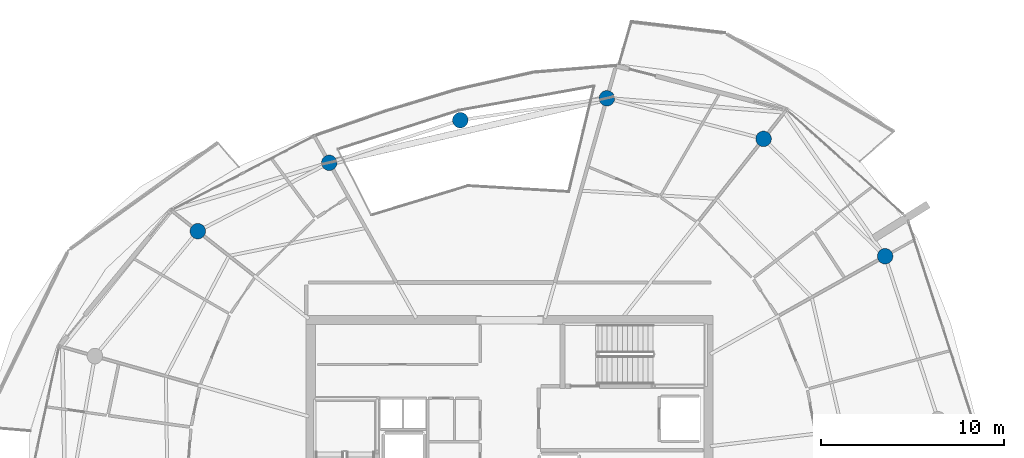
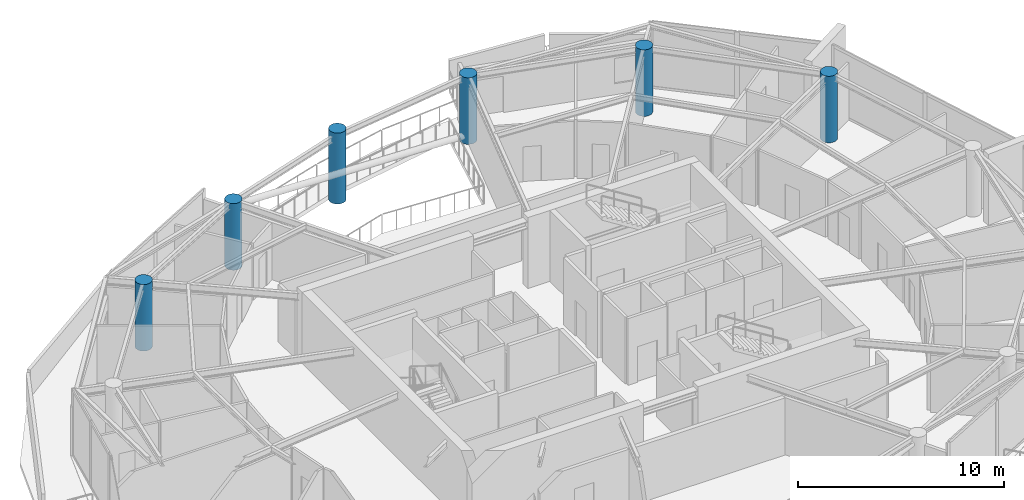
# One storey, part 4 of 22: 6 columns.
"""IFC4 building model written with IfcOpenShell, lengths in metres."""

from ifc_helpers import new_model, si_unit, direction, frame, origin, origin_2d, place, context, subcontext, project, spatial, circle, extrude, material, material_profile, profile_set, type_object, element, save


model = new_model("IFC4")

# Units and contexts
model_context = context("Model", 3, precision=1e-05, world=origin(), true_north=direction((0.0, 1.0)))
body_context = subcontext(model_context, "Body", "Model", "MODEL_VIEW")
ifc_project = project(units=[si_unit("LENGTHUNIT", "METRE"), si_unit("AREAUNIT", "SQUARE_METRE"), si_unit("VOLUMEUNIT", "CUBIC_METRE"), si_unit("PLANEANGLEUNIT", "RADIAN"), si_unit("MASSUNIT", "GRAM", prefix="KILO")], contexts=[model_context])

# Site, building, storey
site_placement = place(None, origin())
site = spatial("IfcSite", under=ifc_project, at=site_placement, CompositionType="ELEMENT")
building_placement = place(site_placement, origin())
building = spatial("IfcBuilding", under=site, at=building_placement, Name="Kazma Halo Residences", CompositionType="ELEMENT")
storey_placement = place(building_placement, frame((0.0, 0.0, 322.10009765625)))
storey = spatial("IfcBuildingStorey", under=building, at=storey_placement, Name="L81", CompositionType="ELEMENT", Elevation=322.10009765625)

# Columns
ifc_material = material(Name="Concrete C60/75", Category="concrete")
ifc_material_profile = material_profile(ifc_material, circle(Radius=0.425048828125, at=origin_2d()), Name="CIRC850")
ifc_profile_set = profile_set([ifc_material_profile], Name="Concrete C60/75")
column_type = type_object("IfcColumnType", Name="COL-PERIM-850", PredefinedType="COLUMN", material=ifc_profile_set)
for number, where, z_axis, x_axis, name in (
    (1, (68.96337890625, 53.739990234375, 0.0), (0.0, 0.0, 1.0), (1.0, 0.0, 0.0), "L81 perimeter ring column P01"),
    (2, (62.31591796875, 60.159423828125, 0.0), (0.0, 0.0, 1.0), (1.0, 0.0, 0.0), "L81 perimeter ring column P02"),
    (3, (53.74658203125, 62.37646484375, 0.0), (0.0, 0.0, 1.0), (1.0, 0.0, 0.0), "L81 perimeter ring column P03"),
):
    element("IfcColumn", number, at=place(storey_placement, frame(where, z_axis=z_axis, x_axis=x_axis)), inside=storey, type_object=column_type, Name=name, PredefinedType="COLUMN", context=body_context, shape_type="SweptSolid", body=[
        extrude(circle(Radius=0.425048828125, at=origin_2d()), origin(), (0.0, 0.0, 1.0), 3.93994140625),
    ])
column_placement = place(storey_placement, frame((45.72998046875, 61.17919921875, 0.0), z_axis=(0.0, 0.0, 1.0), x_axis=(1.0, 0.0, 0.0)))
element("IfcColumn", 4, at=column_placement, inside=storey, type_object=column_type, Name="L81 perimeter ring column P04", PredefinedType="COLUMN", context=body_context, shape_type="SweptSolid", body=[
    extrude(circle(Radius=0.425048828125, at=origin_2d()), origin(), (0.0, 0.0, 1.0), 4.19580078125),
])
for number, where, z_axis, x_axis, name in (
    (5, (38.563232421875, 58.8505859375, 0.0), (0.0, 0.0, 1.0), (1.0, 0.0, 0.0), "L81 perimeter ring column P05"),
    (6, (31.373779296875, 55.10693359375, 0.0), (0.0, 0.0, 1.0), (1.0, 0.0, 0.0), "L81 perimeter ring column P06"),
):
    element("IfcColumn", number, at=place(storey_placement, frame(where, z_axis=z_axis, x_axis=x_axis)), inside=storey, type_object=column_type, Name=name, PredefinedType="COLUMN", context=body_context, shape_type="SweptSolid", body=[
        extrude(circle(Radius=0.425048828125, at=origin_2d()), origin(), (0.0, 0.0, 1.0), 3.93994140625),
    ])

save(model, "model.ifc")
